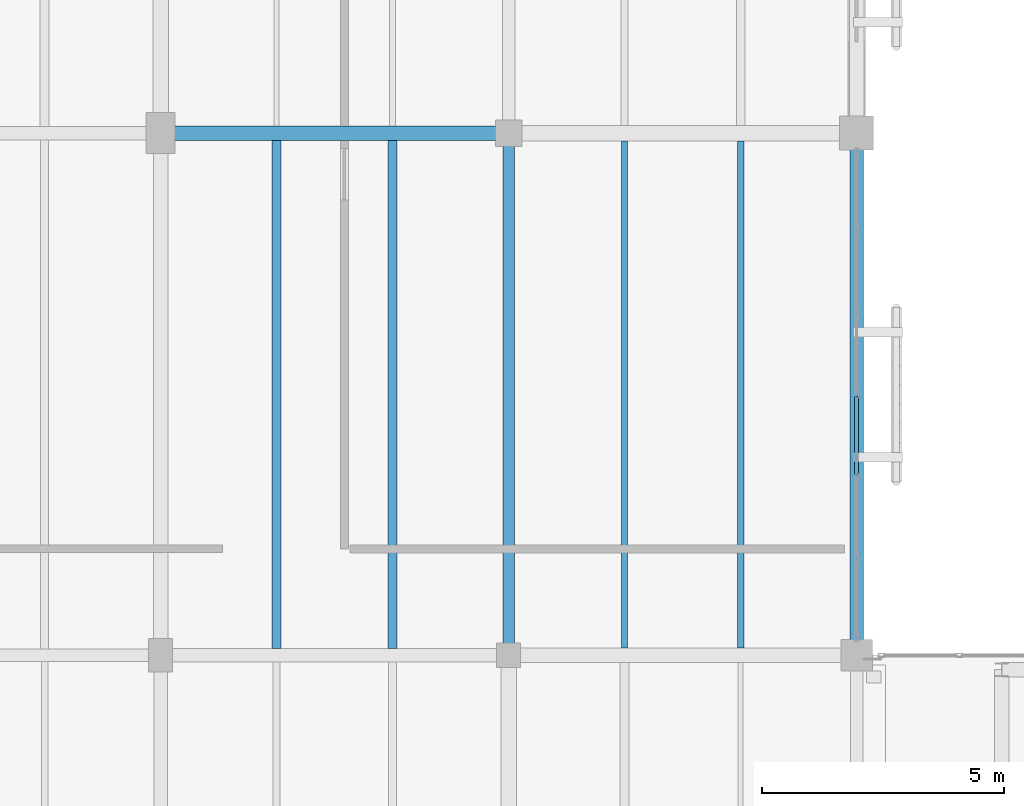
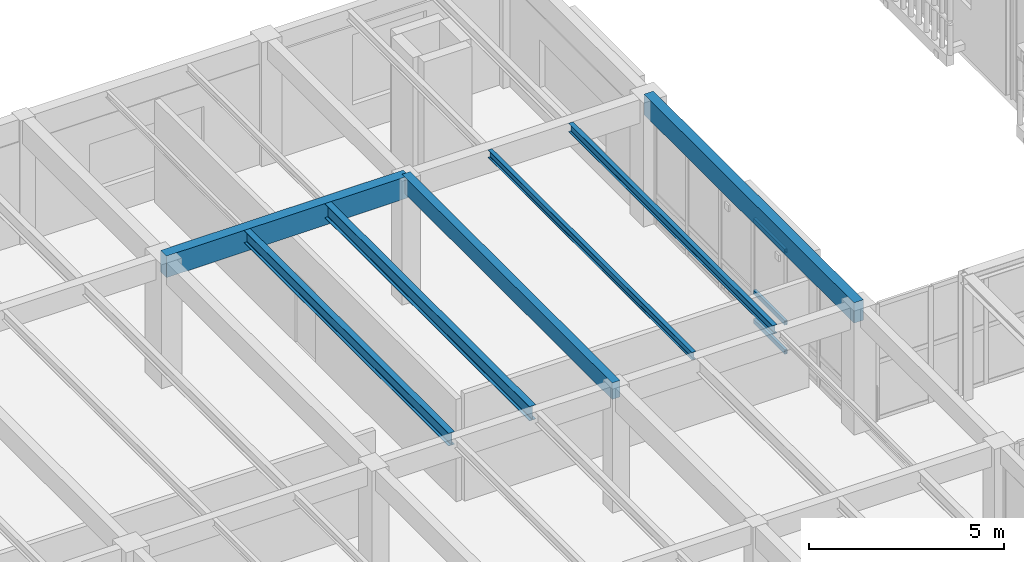
# One storey, part 67 of 170: 7 beams, 3 members, 1 element without a shape of its own.
"""IFC4 building model written with IfcOpenShell, lengths in metres."""

from ifc_helpers import new_model, si_unit, direction, frame, origin, origin_2d, place, context, subcontext, project, spatial, rectangle, hollow_rectangle, i_section, extrude, material, layer, layer_set, material_profile, profile_set, type_object, element, aggregate, save


model = new_model("IFC4")

# Units and contexts
model_context = context("Model", 3, precision=1e-05, world=origin(), true_north=direction((0.0, 1.0)))
body_context = subcontext(model_context, "Body", "Model", "MODEL_VIEW")
ifc_project = project(units=[si_unit("LENGTHUNIT", "METRE"), si_unit("AREAUNIT", "SQUARE_METRE"), si_unit("VOLUMEUNIT", "CUBIC_METRE"), si_unit("PLANEANGLEUNIT", "RADIAN"), si_unit("MASSUNIT", "GRAM", prefix="KILO")], contexts=[model_context])

# Site, building, storey
site_placement = place(None, origin())
site = spatial("IfcSite", under=ifc_project, at=site_placement, CompositionType="ELEMENT")
building_placement = place(site_placement, origin())
building = spatial("IfcBuilding", under=site, at=building_placement, Name="Mazaris Harbour Polytechnic", CompositionType="ELEMENT")
storey_placement = place(building_placement, frame((0.0, 0.0, 5.39990234375)))
storey = spatial("IfcBuildingStorey", under=building, at=storey_placement, Name="L01", CompositionType="ELEMENT", Elevation=5.39990234375)

# Curtain wall, members
ifc_material_1 = material(Name="Anodised Bronze Aluminium and Low-E Glass", Category="aluminium")
ifc_layer = layer(ifc_material_1, 0.159912109375, Name="Anodised Bronze Aluminium and Low-E Glass")
ifc_layer_set = layer_set([ifc_layer], Name="Anodised Bronze Aluminium and Low-E Glass")
curtain_wall_type = type_object("IfcCurtainWallType", Name="Cloister Court Curtain Wall", PredefinedType="NOTDEFINED", material=ifc_layer_set)
curtain_wall_placement = place(storey_placement, origin())
curtain_wall = element("IfcCurtainWall", 1, at=curtain_wall_placement, inside=storey, type_object=curtain_wall_type, Name="V4 L01 Curtain Wall 115", PredefinedType="NOTDEFINED")
ifc_material_2 = material(Name="Anodised Bronze Steel S355", Category="steel")
ifc_material_profile_1 = material_profile(ifc_material_2, hollow_rectangle(XDim=0.080078125, YDim=0.139892578125, WallThickness=0.00634765625, at=origin_2d()), Name="RHS 80x140x6.3")
ifc_profile_set_1 = profile_set([ifc_material_profile_1], Name="Anodised Bronze Steel S355")
member_type = type_object("IfcMemberType", Name="Curtain Transom RHS80x140", PredefinedType="USERDEFINED", material=ifc_profile_set_1)
member_1_placement = place(storey_placement, frame((43.199951171875, 88.1474609375, 0.0400390625), z_axis=(0.0, -1.0, 0.0), x_axis=(1.0, 0.0, 0.0)))
member_1 = element("IfcMember", 2, at=member_1_placement, type_object=member_type, Name="CW-02 transom 4.1", ObjectType="TRANSOM", PredefinedType="USERDEFINED", context=body_context, shape_type="SweptSolid", body=[
    extrude(hollow_rectangle(XDim=0.080078125, YDim=0.139892578125, WallThickness=0.00634765625, at=origin_2d()), origin(), (0.0, 0.0, 1.0), 1.610107421875),
])
member_2_placement = place(storey_placement, frame((43.199951171875, 88.1474609375, 0.9501953125), z_axis=(0.0, -1.0, 0.0), x_axis=(1.0, 0.0, 0.0)))
member_2 = element("IfcMember", 3, at=member_2_placement, type_object=member_type, Name="CW-02 transom 4.2", ObjectType="TRANSOM", PredefinedType="USERDEFINED", context=body_context, shape_type="SweptSolid", body=[
    extrude(hollow_rectangle(XDim=0.080078125, YDim=0.139892578125, WallThickness=0.00634765625, at=origin_2d()), origin(), (0.0, 0.0, 1.0), 1.610107421875),
])
member_3_placement = place(storey_placement, frame((43.199951171875, 88.1474609375, 3.2001953125), z_axis=(0.0, -1.0, 0.0), x_axis=(1.0, 0.0, 0.0)))
member_3 = element("IfcMember", 4, at=member_3_placement, type_object=member_type, Name="CW-02 transom 4.3", ObjectType="TRANSOM", PredefinedType="USERDEFINED", context=body_context, shape_type="SweptSolid", body=[
    extrude(hollow_rectangle(XDim=0.080078125, YDim=0.139892578125, WallThickness=0.00634765625, at=origin_2d()), origin(), (0.0, 0.0, 1.0), 1.610107421875),
])
aggregate(curtain_wall, [member_1, member_2, member_3])

# Beams
ifc_material_3 = material(Name="Glulam GL32h", Category="wood")
ifc_material_profile_2 = material_profile(ifc_material_3, rectangle(XDim=0.239990234375, YDim=0.52001953125, at=origin_2d()), Name="RECT240x520")
ifc_profile_set_2 = profile_set([ifc_material_profile_2], Name="Glulam GL32h")
beam_type_1 = type_object("IfcBeamType", Name="Glulam Girder 240x520", PredefinedType="BEAM", material=ifc_profile_set_2)
beam_1_placement = place(storey_placement, frame((36.0, 82.800048828125, 3.630126953125), z_axis=(0.0, 1.0, 0.0), x_axis=(-1.0, 0.0, 0.0)))
element("IfcBeam", 5, at=beam_1_placement, inside=storey, type_object=beam_type_1, Name="V4 L01 Tie Girder 1760", PredefinedType="BEAM", context=body_context, shape_type="SweptSolid", body=[
    extrude(rectangle(XDim=0.239990234375, YDim=0.52001953125, at=origin_2d()), origin(), (0.0, 0.0, 1.0), 10.800048828125),
])
ifc_material_4 = material(Name="Glulam GL32h", Category="wood")
ifc_material_profile_3 = material_profile(ifc_material_4, rectangle(XDim=0.280029296875, YDim=0.639892578125, at=origin_2d()), Name="RECT280x640")
ifc_profile_set_3 = profile_set([ifc_material_profile_3], Name="Glulam GL32h")
beam_type_2 = type_object("IfcBeamType", Name="Glulam Girder 280x640 Exterior", PredefinedType="BEAM", material=ifc_profile_set_3)
beam_2_placement = place(storey_placement, frame((43.199951171875, 82.800048828125, 3.570068359375), z_axis=(0.0, 1.0, 0.0), x_axis=(-1.0, 0.0, 0.0)))
element("IfcBeam", 6, at=beam_2_placement, inside=storey, type_object=beam_type_2, Name="V4 L01 Tie Girder 1772", PredefinedType="BEAM", context=body_context, shape_type="SweptSolid", body=[
    extrude(rectangle(XDim=0.280029296875, YDim=0.639892578125, at=origin_2d()), origin(), (0.0, 0.0, 1.0), 10.800048828125),
])
ifc_material_5 = material(Name="Glulam GL32h", Category="wood")
ifc_material_profile_4 = material_profile(ifc_material_5, rectangle(XDim=0.300048828125, YDim=0.679931640625, at=origin_2d()), Name="RECT300x680")
ifc_profile_set_4 = profile_set([ifc_material_profile_4], Name="Glulam GL32h")
beam_type_3 = type_object("IfcBeamType", Name="Glulam Girder 300x680", PredefinedType="BEAM", material=ifc_profile_set_4)
beam_3_placement = place(storey_placement, frame((28.800048828125, 93.60009765625, 3.550048828125), z_axis=(1.0, 0.0, 0.0), x_axis=(0.0, 1.0, 0.0)))
element("IfcBeam", 7, at=beam_3_placement, inside=storey, type_object=beam_type_3, Name="V4 L01 Girder 1688", PredefinedType="BEAM", context=body_context, shape_type="SweptSolid", body=[
    extrude(rectangle(XDim=0.300048828125, YDim=0.679931640625, at=origin_2d()), origin(), (0.0, 0.0, 1.0), 7.199951171875),
])
ifc_material_6 = material(Name="Steel S355", Category="steel")
ifc_material_profile_5 = material_profile(ifc_material_6, i_section(OverallWidth=0.1201171875, OverallDepth=0.239990234375, WebThickness=0.006103515625, FlangeThickness=0.009765625, FilletRadius=0.014892578125, at=origin_2d()), Name="IPE 240")
ifc_profile_set_5 = profile_set([ifc_material_profile_5], Name="Steel S355")
beam_type_4 = type_object("IfcBeamType", Name="Steel Joist IPE240", PredefinedType="JOIST", material=ifc_profile_set_5)
beam_4_placement = place(storey_placement, frame((38.39990234375, 82.949951171875, 3.77001953125), z_axis=(0.0, 1.0, 0.0), x_axis=(-1.0, 0.0, 0.0)))
element("IfcBeam", 8, at=beam_4_placement, inside=storey, type_object=beam_type_4, Name="V4 L01 Floor Joist 1891", PredefinedType="JOIST", context=body_context, shape_type="SweptSolid", body=[
    extrude(i_section(OverallWidth=0.1201171875, OverallDepth=0.239990234375, WebThickness=0.006103515625, FlangeThickness=0.009765625, FilletRadius=0.014892578125, at=origin_2d()), origin(), (0.0, 0.0, 1.0), 10.489990234375),
])
ifc_material_7 = material(Name="Steel S355", Category="steel")
ifc_material_profile_6 = material_profile(ifc_material_7, i_section(OverallWidth=0.135009765625, OverallDepth=0.27001953125, WebThickness=0.006591796875, FlangeThickness=0.01025390625, FilletRadius=0.014892578125, at=origin_2d()), Name="IPE 270")
ifc_profile_set_6 = profile_set([ifc_material_profile_6], Name="Steel S355")
beam_type_5 = type_object("IfcBeamType", Name="Steel Joist IPE270", PredefinedType="JOIST", material=ifc_profile_set_6)
beam_5_placement = place(storey_placement, frame((40.800048828125, 82.949951171875, 3.755126953125), z_axis=(0.0, 1.0, 0.0), x_axis=(-1.0, 0.0, 0.0)))
element("IfcBeam", 9, at=beam_5_placement, inside=storey, type_object=beam_type_5, Name="V4 L01 Floor Joist 1892", PredefinedType="JOIST", context=body_context, shape_type="SweptSolid", body=[
    extrude(i_section(OverallWidth=0.135009765625, OverallDepth=0.27001953125, WebThickness=0.006591796875, FlangeThickness=0.01025390625, FilletRadius=0.014892578125, at=origin_2d()), origin(), (0.0, 0.0, 1.0), 10.489990234375),
])
ifc_material_8 = material(Name="Steel S355", Category="steel")
ifc_material_profile_7 = material_profile(ifc_material_8, i_section(OverallWidth=0.179931640625, OverallDepth=0.39990234375, WebThickness=0.008544921875, FlangeThickness=0.013427734375, FilletRadius=0.02099609375, at=origin_2d()), Name="IPE 400")
ifc_profile_set_7 = profile_set([ifc_material_profile_7], Name="Steel S355")
beam_type_6 = type_object("IfcBeamType", Name="Steel Joist IPE400", PredefinedType="JOIST", material=ifc_profile_set_7)
beam_6_placement = place(storey_placement, frame((31.199951171875, 82.93994140625, 3.690185546875), z_axis=(0.0, 1.0, 0.0), x_axis=(-1.0, 0.0, 0.0)))
element("IfcBeam", 10, at=beam_6_placement, inside=storey, type_object=beam_type_6, Name="V4 L01 Floor Joist 1867", PredefinedType="JOIST", context=body_context, shape_type="SweptSolid", body=[
    extrude(i_section(OverallWidth=0.179931640625, OverallDepth=0.39990234375, WebThickness=0.008544921875, FlangeThickness=0.013427734375, FilletRadius=0.02099609375, at=origin_2d()), origin(), (0.0, 0.0, 1.0), 10.510009765625),
])
ifc_material_9 = material(Name="Steel S355", Category="steel")
ifc_material_profile_8 = material_profile(ifc_material_9, i_section(OverallWidth=0.18994140625, OverallDepth=0.449951171875, WebThickness=0.009521484375, FlangeThickness=0.0146484375, FilletRadius=0.02099609375, at=origin_2d()), Name="IPE 450")
ifc_profile_set_8 = profile_set([ifc_material_profile_8], Name="Steel S355")
beam_type_7 = type_object("IfcBeamType", Name="Steel Joist IPE450", PredefinedType="JOIST", material=ifc_profile_set_8)
beam_7_placement = place(storey_placement, frame((33.60009765625, 82.93994140625, 3.6650390625), z_axis=(0.0, 1.0, 0.0), x_axis=(-1.0, 0.0, 0.0)))
element("IfcBeam", 11, at=beam_7_placement, inside=storey, type_object=beam_type_7, Name="V4 L01 Floor Joist 1868", PredefinedType="JOIST", context=body_context, shape_type="SweptSolid", body=[
    extrude(i_section(OverallWidth=0.18994140625, OverallDepth=0.449951171875, WebThickness=0.009521484375, FlangeThickness=0.0146484375, FilletRadius=0.02099609375, at=origin_2d()), origin(), (0.0, 0.0, 1.0), 10.510009765625),
])

save(model, "model.ifc")
